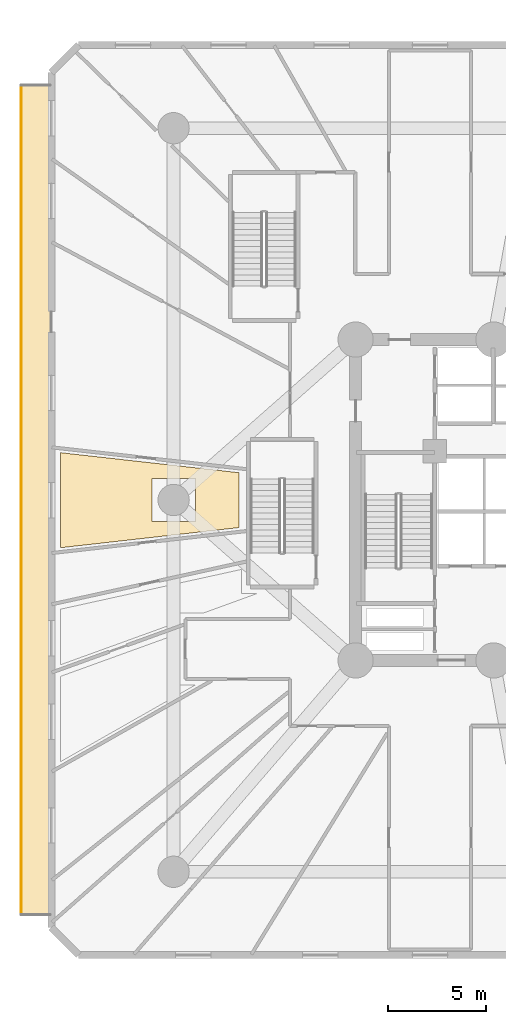
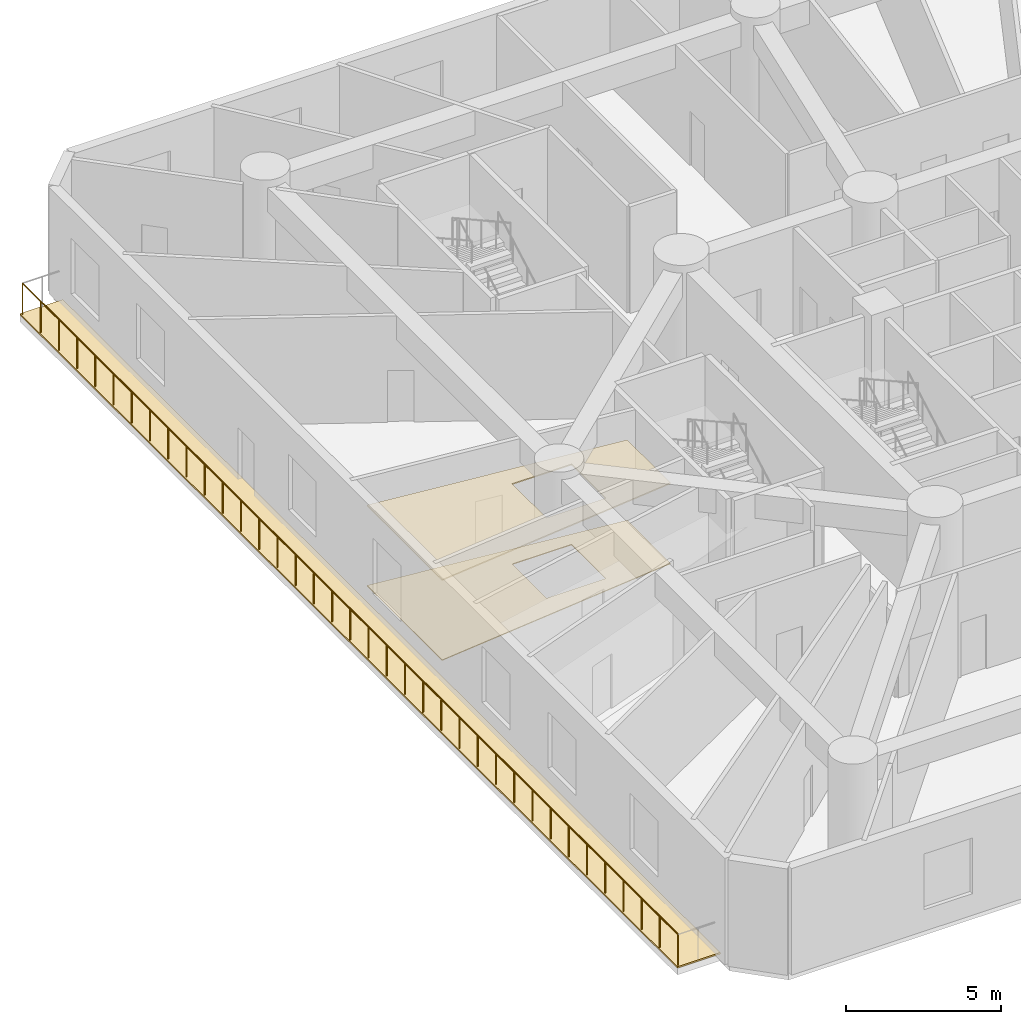
# One storey, part 22 of 26: 3 coverings, 1 railing.
"""IFC4 building model written with IfcOpenShell, lengths in metres."""

from ifc_helpers import new_model, si_unit, direction, frame, origin, origin_2d, place, context, subcontext, project, spatial, polyline, circle, outline, extrude, material, layer, layer_set, type_object, element, save


model = new_model("IFC4")

# Units and contexts
model_context = context("Model", 3, precision=1e-05, world=origin(), true_north=direction((0.0, 1.0)))
body_context = subcontext(model_context, "Body", "Model", "MODEL_VIEW")
ifc_project = project(units=[si_unit("LENGTHUNIT", "METRE"), si_unit("AREAUNIT", "SQUARE_METRE"), si_unit("VOLUMEUNIT", "CUBIC_METRE"), si_unit("PLANEANGLEUNIT", "RADIAN"), si_unit("MASSUNIT", "GRAM", prefix="KILO")], contexts=[model_context])

# Site, building, storey
site_placement = place(None, origin())
site = spatial("IfcSite", under=ifc_project, at=site_placement, CompositionType="ELEMENT")
building_placement = place(site_placement, origin())
building = spatial("IfcBuilding", under=site, at=building_placement, Name="Karkom Vertical University and Central Library", CompositionType="ELEMENT")
storey_placement = place(building_placement, frame((0.0, 0.0, 9.0)))
storey = spatial("IfcBuildingStorey", under=building, at=storey_placement, Name="L02", CompositionType="ELEMENT", Elevation=9.0)

# Covering
ifc_material_1 = material(Name="EPDM membrane with Kota stone ballast roofing", Category="masonry")
ifc_layer_1 = layer(ifc_material_1, 0.080078125)
ifc_layer_set_1 = layer_set([ifc_layer_1], Name="EPDM membrane with Kota stone ballast roofing")
covering_type_1 = type_object("IfcCoveringType", Name="ENV-COV-ROOF", PredefinedType="ROOFING", material=ifc_layer_set_1)
covering_1_placement = place(storey_placement, origin())
element("IfcCovering", 1, at=covering_1_placement, inside=storey, type_object=covering_type_1, Name="Level 02 POD Terrace Waterproofing Covering", PredefinedType="ROOFING", context=body_context, shape_type="SweptSolid", body=[
    extrude(outline(polyline([(2.35009765625, 5.25), (3.949951171875, 5.25), (3.949951171875, 47.75), (2.35009765625, 47.75), (2.35009765625, 5.25)])), origin(), (0.0, 0.0, 1.0), 0.06005859375),
])

# Railing
ifc_material_2 = material(Name="Architectural painted steel & laminated glass balustrade", Category="steel")
ifc_layer_2 = layer(ifc_material_2, 0.090087890625)
ifc_layer_set_2 = layer_set([ifc_layer_2], Name="Architectural painted steel & laminated glass balustrade")
railing_type = type_object("IfcRailingType", Name="ENV-RL-BAL1300", PredefinedType="BALUSTRADE", material=ifc_layer_set_2)
railing_placement = place(storey_placement, frame((2.409912109375, 5.31005859375, 0.0)))
element("IfcRailing", 2, at=railing_placement, inside=storey, type_object=railing_type, Name="Level 02 Planted Terrace Safety Balustrade 01", PredefinedType="BALUSTRADE", context=body_context, shape_type="SweptSolid", body=[
    extrude(circle(Radius=0.02392578125, at=origin_2d()), frame((0.0, 0.0, 1.27587890625), z_axis=(0.0, 1.0, 0.0), x_axis=(-1.0, 0.0, 0.0)), (0.0, 0.0, 1.0), 42.3798828125),
    extrude(circle(Radius=0.02099609375, at=origin_2d()), origin(), (0.0, 0.0, 1.0), 1.251953125),
    extrude(circle(Radius=0.02099609375, at=origin_2d()), frame((0.0, 1.17724609375, 0.0)), (0.0, 0.0, 1.0), 1.251953125),
    extrude(circle(Radius=0.02099609375, at=origin_2d()), frame((0.0, 2.3544921875, 0.0)), (0.0, 0.0, 1.0), 1.251953125),
    extrude(circle(Radius=0.02099609375, at=origin_2d()), frame((0.0, 3.53173828125, 0.0)), (0.0, 0.0, 1.0), 1.251953125),
    extrude(circle(Radius=0.02099609375, at=origin_2d()), frame((0.0, 4.708984375, 0.0)), (0.0, 0.0, 1.0), 1.251953125),
    extrude(circle(Radius=0.02099609375, at=origin_2d()), frame((0.0, 5.885986328125, 0.0)), (0.0, 0.0, 1.0), 1.251953125),
    extrude(circle(Radius=0.02099609375, at=origin_2d()), frame((0.0, 7.063232421875, 0.0)), (0.0, 0.0, 1.0), 1.251953125),
    extrude(circle(Radius=0.02099609375, at=origin_2d()), frame((0.0, 8.240478515625, 0.0)), (0.0, 0.0, 1.0), 1.251953125),
    extrude(circle(Radius=0.02099609375, at=origin_2d()), frame((0.0, 9.417724609375, 0.0)), (0.0, 0.0, 1.0), 1.251953125),
    extrude(circle(Radius=0.02099609375, at=origin_2d()), frame((0.0, 10.594970703125, 0.0)), (0.0, 0.0, 1.0), 1.251953125),
    extrude(circle(Radius=0.02099609375, at=origin_2d()), frame((0.0, 11.772216796875, 0.0)), (0.0, 0.0, 1.0), 1.251953125),
    extrude(circle(Radius=0.02099609375, at=origin_2d()), frame((0.0, 12.949462890625, 0.0)), (0.0, 0.0, 1.0), 1.251953125),
    extrude(circle(Radius=0.02099609375, at=origin_2d()), frame((0.0, 14.126708984375, 0.0)), (0.0, 0.0, 1.0), 1.251953125),
    extrude(circle(Radius=0.02099609375, at=origin_2d()), frame((0.0, 15.303955078125, 0.0)), (0.0, 0.0, 1.0), 1.251953125),
    extrude(circle(Radius=0.02099609375, at=origin_2d()), frame((0.0, 16.48095703125, 0.0)), (0.0, 0.0, 1.0), 1.251953125),
    extrude(circle(Radius=0.02099609375, at=origin_2d()), frame((0.0, 17.658203125, 0.0)), (0.0, 0.0, 1.0), 1.251953125),
    extrude(circle(Radius=0.02099609375, at=origin_2d()), frame((0.0, 18.83544921875, 0.0)), (0.0, 0.0, 1.0), 1.251953125),
    extrude(circle(Radius=0.02099609375, at=origin_2d()), frame((0.0, 20.0126953125, 0.0)), (0.0, 0.0, 1.0), 1.251953125),
    extrude(circle(Radius=0.02099609375, at=origin_2d()), frame((0.0, 21.18994140625, 0.0)), (0.0, 0.0, 1.0), 1.251953125),
    extrude(circle(Radius=0.02099609375, at=origin_2d()), frame((0.0, 22.3671875, 0.0)), (0.0, 0.0, 1.0), 1.251953125),
    extrude(circle(Radius=0.02099609375, at=origin_2d()), frame((0.0, 23.54443359375, 0.0)), (0.0, 0.0, 1.0), 1.251953125),
    extrude(circle(Radius=0.02099609375, at=origin_2d()), frame((0.0, 24.7216796875, 0.0)), (0.0, 0.0, 1.0), 1.251953125),
    extrude(circle(Radius=0.02099609375, at=origin_2d()), frame((0.0, 25.89892578125, 0.0)), (0.0, 0.0, 1.0), 1.251953125),
    extrude(circle(Radius=0.02099609375, at=origin_2d()), frame((0.0, 27.075927734375, 0.0)), (0.0, 0.0, 1.0), 1.251953125),
    extrude(circle(Radius=0.02099609375, at=origin_2d()), frame((0.0, 28.253173828125, 0.0)), (0.0, 0.0, 1.0), 1.251953125),
    extrude(circle(Radius=0.02099609375, at=origin_2d()), frame((0.0, 29.430419921875, 0.0)), (0.0, 0.0, 1.0), 1.251953125),
    extrude(circle(Radius=0.02099609375, at=origin_2d()), frame((0.0, 30.607666015625, 0.0)), (0.0, 0.0, 1.0), 1.251953125),
    extrude(circle(Radius=0.02099609375, at=origin_2d()), frame((0.0, 31.784912109375, 0.0)), (0.0, 0.0, 1.0), 1.251953125),
    extrude(circle(Radius=0.02099609375, at=origin_2d()), frame((0.0, 32.962158203125, 0.0)), (0.0, 0.0, 1.0), 1.251953125),
    extrude(circle(Radius=0.02099609375, at=origin_2d()), frame((0.0, 34.139404296875, 0.0)), (0.0, 0.0, 1.0), 1.251953125),
    extrude(circle(Radius=0.02099609375, at=origin_2d()), frame((0.0, 35.316650390625, 0.0)), (0.0, 0.0, 1.0), 1.251953125),
    extrude(circle(Radius=0.02099609375, at=origin_2d()), frame((0.0, 36.493896484375, 0.0)), (0.0, 0.0, 1.0), 1.251953125),
    extrude(circle(Radius=0.02099609375, at=origin_2d()), frame((0.0, 37.6708984375, 0.0)), (0.0, 0.0, 1.0), 1.251953125),
    extrude(circle(Radius=0.02099609375, at=origin_2d()), frame((0.0, 38.84814453125, 0.0)), (0.0, 0.0, 1.0), 1.251953125),
    extrude(circle(Radius=0.02099609375, at=origin_2d()), frame((0.0, 40.025390625, 0.0)), (0.0, 0.0, 1.0), 1.251953125),
    extrude(circle(Radius=0.02099609375, at=origin_2d()), frame((0.0, 41.20263671875, 0.0)), (0.0, 0.0, 1.0), 1.251953125),
    extrude(circle(Radius=0.02099609375, at=origin_2d()), frame((0.0, 42.3798828125, 0.0)), (0.0, 0.0, 1.0), 1.251953125),
])

# Coverings
ifc_material_3 = material(Name="Perforated mineral-fibre & timber-slat acoustic ceiling", Category="wood")
ifc_layer_3 = layer(ifc_material_3, 0.044921875)
ifc_layer_set_3 = layer_set([ifc_layer_3], Name="Perforated mineral-fibre & timber-slat acoustic ceiling")
covering_type_2 = type_object("IfcCoveringType", Name="INT-COV-CEIL", PredefinedType="CEILING", material=ifc_layer_set_3)
covering_2_placement = place(storey_placement, frame((0.0, 0.0, 3.155029296875)))
element("IfcCovering", 3, at=covering_2_placement, inside=storey, type_object=covering_type_2, Name="Level 02 Suspended Acoustic Ceiling Level 02-PD01", PredefinedType="CEILING", context=body_context, shape_type="SweptSolid", body=[
    extrude(outline(polyline([(13.550048828125, 25.091796875), (4.429931640625, 24.06103515625), (4.429931640625, 28.918212890625), (13.550048828125, 27.895263671875), (13.550048828125, 25.091796875)]), holes=[polyline([(9.090087890625, 25.389892578125), (11.31005859375, 25.389892578125), (11.31005859375, 27.610107421875), (9.090087890625, 27.610107421875), (9.090087890625, 25.389892578125)])]), origin(), (0.0, 0.0, 1.0), 0.044921875),
])
ifc_material_4 = material(Name="Honed Kota limestone & terrazzo flooring", Category="masonry")
ifc_layer_4 = layer(ifc_material_4, 0.030029296875)
ifc_layer_set_4 = layer_set([ifc_layer_4], Name="Honed Kota limestone & terrazzo flooring")
covering_type_3 = type_object("IfcCoveringType", Name="INT-COV-FLOOR", PredefinedType="FLOORING", material=ifc_layer_set_4)
covering_3_placement = place(storey_placement, origin())
element("IfcCovering", 4, at=covering_3_placement, inside=storey, type_object=covering_type_3, Name="Level 02 Kota Stone Floor Finish Level 02-PD01", PredefinedType="FLOORING", context=body_context, shape_type="SweptSolid", body=[
    extrude(outline(polyline([(13.550048828125, 25.091796875), (4.429931640625, 24.06103515625), (4.429931640625, 28.918212890625), (13.550048828125, 27.895263671875), (13.550048828125, 25.091796875)]), holes=[polyline([(9.090087890625, 25.389892578125), (11.31005859375, 25.389892578125), (11.31005859375, 27.610107421875), (9.090087890625, 27.610107421875), (9.090087890625, 25.389892578125)])]), origin(), (0.0, 0.0, 1.0), 0.030029296875),
])

save(model, "model.ifc")
